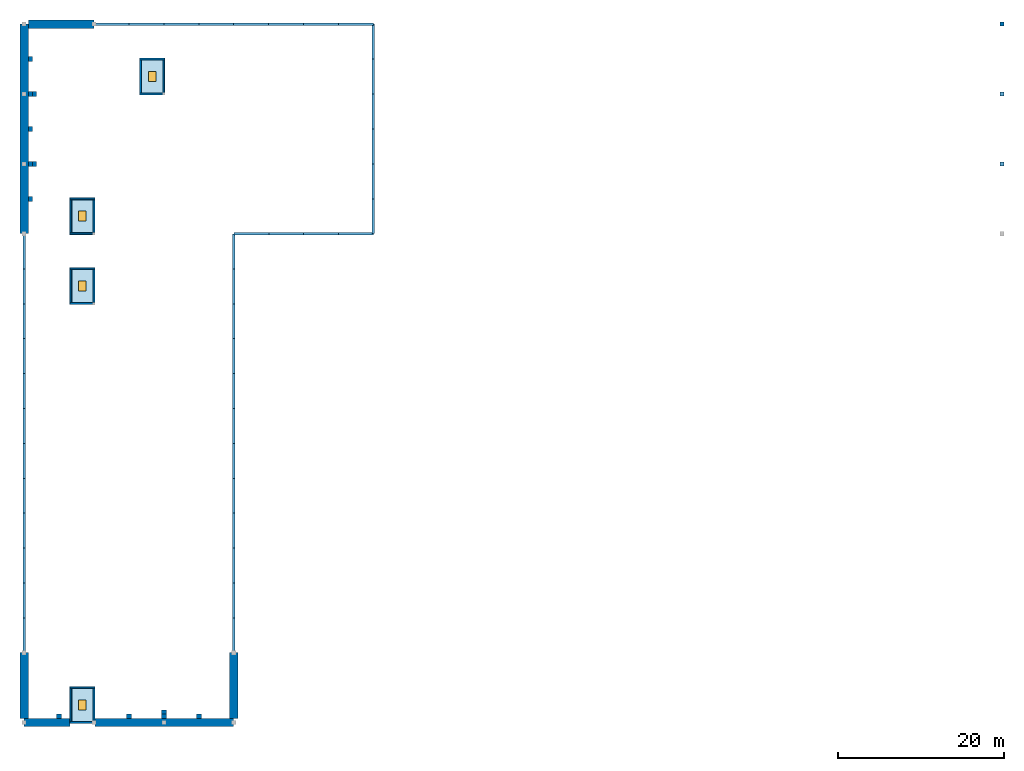
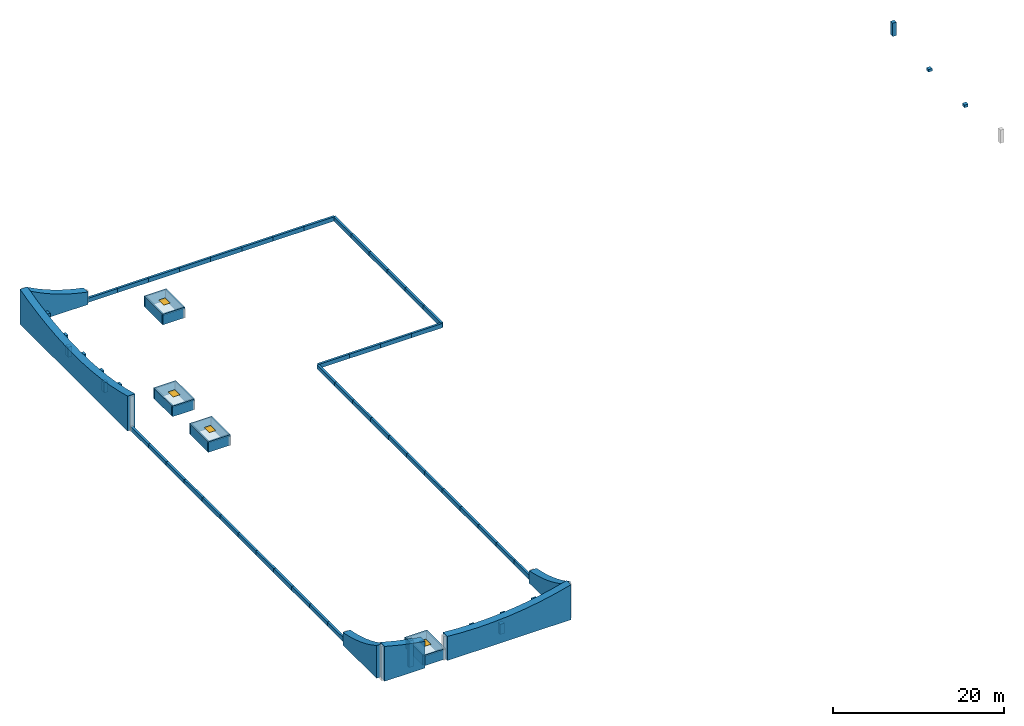
"""IFC4 building model written with IfcOpenShell, lengths in metres."""

from ifc_helpers import new_model, si_unit, direction, frame, frame_2d, origin, origin_2d, place, context, subcontext, project, spatial, polyline, rectangle, outline, extrude, material, layer, layer_set, material_profile, profile_set, type_object, element, fill, save


model = new_model("IFC4")

# Units and contexts
model_context = context("Model", 3, precision=1e-05, world=origin(), true_north=direction((0.0, 1.0)))
body_context = subcontext(model_context, "Body", "Model", "MODEL_VIEW")
ifc_project = project(units=[si_unit("LENGTHUNIT", "METRE"), si_unit("AREAUNIT", "SQUARE_METRE"), si_unit("VOLUMEUNIT", "CUBIC_METRE"), si_unit("PLANEANGLEUNIT", "RADIAN"), si_unit("MASSUNIT", "GRAM", prefix="KILO")], contexts=[model_context])

# Site, building, storey
site_placement = place(None, origin())
site = spatial("IfcSite", under=ifc_project, at=site_placement, CompositionType="ELEMENT")
building_placement = place(site_placement, origin())
building = spatial("IfcBuilding", under=site, at=building_placement, Name="Fescue Hill Polytechnic", CompositionType="ELEMENT")
storey_1_placement = place(building_placement, frame((0.0, 0.0, 36.0)))
storey_1 = spatial("IfcBuildingStorey", under=building, at=storey_1_placement, Name="Roof", CompositionType="ELEMENT", Elevation=36.0)

# Columns
ifc_material_1 = material(Name="Concrete 40 MPa", Category="concrete")
ifc_material_profile = material_profile(ifc_material_1, rectangle(XDim=0.5, YDim=0.5, at=origin_2d()), Name="RC 500x500")
ifc_profile_set = profile_set([ifc_material_profile], Name="Concrete 40 MPa")
column_type = type_object("IfcColumnType", Name="Column RC 500x500", PredefinedType="COLUMN", material=ifc_profile_set)
for number, where, z_axis, x_axis, name in (
    (1, (117.60009765625, 117.60009765625, 0.0), (0.0, 0.0, 1.0), (1.0, 0.0, 0.0), "CP-CR4-Roof-1176"),
    (2, (117.60009765625, 126.0, 0.0), (0.0, 0.0, 1.0), (1.0, 0.0, 0.0), "CP-CR4-Roof-1260"),
):
    element("IfcColumn", number, at=place(storey_1_placement, frame(where, z_axis=z_axis, x_axis=x_axis)), inside=storey_1, type_object=column_type, Name=name, PredefinedType="COLUMN", context=body_context, shape_type="SweptSolid", body=[
        extrude(rectangle(XDim=0.5, YDim=0.5, at=origin_2d()), origin(), (0.0, 0.0, 1.0), 0.36767578125),
    ])
column_placement = place(storey_1_placement, frame((117.60009765625, 134.39990234375, 0.0), z_axis=(0.0, 0.0, 1.0), x_axis=(1.0, 0.0, 0.0)))
element("IfcColumn", 3, at=column_placement, inside=storey_1, type_object=column_type, Name="CP-CR11-Roof-1176", PredefinedType="COLUMN", context=body_context, shape_type="SweptSolid", body=[
    extrude(rectangle(XDim=0.5, YDim=0.5, at=origin_2d()), origin(), (0.0, 0.0, 1.0), 1.89990234375),
])

# Slab, opening
ifc_material_2 = material(Name="Concrete 35 MPa", Category="concrete")
ifc_layer_1 = layer(ifc_material_2, 0.199951171875)
ifc_layer_set_1 = layer_set([ifc_layer_1], Name="Concrete 35 MPa")
slab_type = type_object("IfcSlabType", Name="Roof slab 200", PredefinedType="ROOF", material=ifc_layer_set_1)
slab_1_placement = place(storey_1_placement, frame((0.0, 0.0, 1.300048828125)))
slab_1 = element("IfcSlab", 4, at=slab_1_placement, inside=storey_1, type_object=slab_type, Name="LD-LF-V4-1", PredefinedType="ROOF", context=body_context, shape_type="SweptSolid", body=[
    extrude(outline(polyline([(8.5, 50.300048828125), (5.5, 50.300048828125), (5.5, 54.699951171875), (8.5, 54.699951171875), (8.5, 50.300048828125)])), origin(), (0.0, 0.0, 1.0), 0.199951171875),
])
opening_1_placement = place(slab_1_placement, frame((7.0, 52.5, 0.0)))
opening_1 = element("IfcOpeningElement", 5, at=opening_1_placement, cuts=slab_1, Name="Opening WH4", PredefinedType="OPENING", context=body_context, shape_type="SweptSolid", body=[
    extrude(rectangle(XDim=0.89990234375, YDim=1.199951171875, at=origin_2d()), frame((0.0, 0.0, -0.010009765625)), (0.0, 0.0, 1.0), 0.219970703125),
])

# Storey
storey_2_placement = place(building_placement, frame((0.0, 0.0, 31.5)))
storey_2 = spatial("IfcBuildingStorey", under=building, at=storey_2_placement, Name="L07", CompositionType="ELEMENT", Elevation=31.5)

# Window
ifc_material_3 = material(Name="Powder-coated aluminium and glass", Category="aluminium")
window_type = type_object("IfcWindowType", Name="Hoistway vent hatch 900x1200", PartitioningType="SINGLE_PANEL", PredefinedType="SKYLIGHT", material=ifc_material_3)
window_1_placement = place(opening_1_placement, frame((0.0, 0.0, 0.14990234375)))
window_1 = element("IfcWindow", 6, at=window_1_placement, inside=storey_2, type_object=window_type, Name="RLT-L07-LD-LF-V4-1", OverallHeight=1.199951171875, OverallWidth=0.89990234375, PartitioningType="SINGLE_PANEL", PredefinedType="SKYLIGHT", context=body_context, shape_type="SweptSolid", body=[
    extrude(rectangle(XDim=0.89990234375, YDim=1.199951171875, at=origin_2d()), origin(), (0.0, 0.0, 1.0), 0.050048828125),
])

fill(opening_1, window_1)

# Slab, opening, window
slab_2_placement = place(storey_1_placement, frame((0.0, 0.0, 1.300048828125)))
slab_2 = element("IfcSlab", 7, at=slab_2_placement, inside=storey_1, type_object=slab_type, Name="LD-LF-V4-2", PredefinedType="ROOF", context=body_context, shape_type="SweptSolid", body=[
    extrude(outline(polyline([(8.5, 100.699951171875), (5.5, 100.699951171875), (5.5, 105.10009765625), (8.5, 105.10009765625), (8.5, 100.699951171875)])), origin(), (0.0, 0.0, 1.0), 0.199951171875),
])
opening_2_placement = place(slab_2_placement, frame((7.0, 102.89990234375, 0.0)))
opening_2 = element("IfcOpeningElement", 8, at=opening_2_placement, cuts=slab_2, Name="Opening WH4", PredefinedType="OPENING", context=body_context, shape_type="SweptSolid", body=[
    extrude(rectangle(XDim=0.89990234375, YDim=1.199951171875, at=origin_2d()), frame((0.0, 0.0, -0.010009765625)), (0.0, 0.0, 1.0), 0.219970703125),
])
window_2_placement = place(opening_2_placement, frame((0.0, 0.0, 0.14990234375)))
window_2 = element("IfcWindow", 9, at=window_2_placement, inside=storey_2, type_object=window_type, Name="RLT-L07-LD-LF-V4-2", OverallHeight=1.199951171875, OverallWidth=0.89990234375, PartitioningType="SINGLE_PANEL", PredefinedType="SKYLIGHT", context=body_context, shape_type="SweptSolid", body=[
    extrude(rectangle(XDim=0.89990234375, YDim=1.199951171875, at=origin_2d()), origin(), (0.0, 0.0, 1.0), 0.050048828125),
])
fill(opening_2, window_2)

slab_3_placement = place(storey_1_placement, frame((0.0, 0.0, 1.300048828125)))
slab_3 = element("IfcSlab", 10, at=slab_3_placement, inside=storey_1, type_object=slab_type, Name="LD-LF-V5-1", PredefinedType="ROOF", context=body_context, shape_type="SweptSolid", body=[
    extrude(outline(polyline([(8.5, 109.10009765625), (5.5, 109.10009765625), (5.5, 113.5), (8.5, 113.5), (8.5, 109.10009765625)])), origin(), (0.0, 0.0, 1.0), 0.199951171875),
])
opening_3_placement = place(slab_3_placement, frame((7.0, 111.300048828125, 0.0)))
opening_3 = element("IfcOpeningElement", 11, at=opening_3_placement, cuts=slab_3, Name="Opening WH4", PredefinedType="OPENING", context=body_context, shape_type="SweptSolid", body=[
    extrude(rectangle(XDim=0.89990234375, YDim=1.199951171875, at=origin_2d()), frame((0.0, 0.0, -0.010009765625)), (0.0, 0.0, 1.0), 0.219970703125),
])
window_3_placement = place(opening_3_placement, frame((0.0, 0.0, 0.14990234375)))
window_3 = element("IfcWindow", 12, at=window_3_placement, inside=storey_2, type_object=window_type, Name="RLT-L07-LD-LF-V5-1", OverallHeight=1.199951171875, OverallWidth=0.89990234375, PartitioningType="SINGLE_PANEL", PredefinedType="SKYLIGHT", context=body_context, shape_type="SweptSolid", body=[
    extrude(rectangle(XDim=0.89990234375, YDim=1.199951171875, at=origin_2d()), origin(), (0.0, 0.0, 1.0), 0.050048828125),
])
fill(opening_3, window_3)

slab_4_placement = place(storey_1_placement, frame((0.0, 0.0, 1.300048828125)))
slab_4 = element("IfcSlab", 13, at=slab_4_placement, inside=storey_1, type_object=slab_type, Name="LD-LF-V5-2", PredefinedType="ROOF", context=body_context, shape_type="SweptSolid", body=[
    extrude(outline(polyline([(16.89990234375, 125.89990234375), (13.89990234375, 125.89990234375), (13.89990234375, 130.300048828125), (16.89990234375, 130.300048828125), (16.89990234375, 125.89990234375)])), origin(), (0.0, 0.0, 1.0), 0.199951171875),
])
opening_4_placement = place(slab_4_placement, frame((15.39990234375, 128.10009765625, 0.0)))
opening_4 = element("IfcOpeningElement", 14, at=opening_4_placement, cuts=slab_4, Name="Opening WH4", PredefinedType="OPENING", context=body_context, shape_type="SweptSolid", body=[
    extrude(rectangle(XDim=0.89990234375, YDim=1.199951171875, at=origin_2d()), frame((0.0, 0.0, -0.010009765625)), (0.0, 0.0, 1.0), 0.219970703125),
])
window_4_placement = place(opening_4_placement, frame((0.0, 0.0, 0.14990234375)))
window_4 = element("IfcWindow", 15, at=window_4_placement, inside=storey_2, type_object=window_type, Name="RLT-L07-LD-LF-V5-2", OverallHeight=1.199951171875, OverallWidth=0.89990234375, PartitioningType="SINGLE_PANEL", PredefinedType="SKYLIGHT", context=body_context, shape_type="SweptSolid", body=[
    extrude(rectangle(XDim=0.89990234375, YDim=1.199951171875, at=origin_2d()), origin(), (0.0, 0.0, 1.0), 0.050048828125),
])
fill(opening_4, window_4)

# Walls
ifc_material_4 = material(Name="Clay brick masonry", Category="masonry")
ifc_layer_2 = layer(ifc_material_4, 0.60009765625)
ifc_layer_set_2 = layer_set([ifc_layer_2], Name="Clay brick masonry")
wall_type_1 = type_object("IfcWallType", Name="Brick crest pier 600", PredefinedType="SOLIDWALL", material=ifc_layer_set_2)
wall_1_placement = place(storey_1_placement, frame((4.199951171875, 50.89990234375, 0.0), z_axis=(0.0, 0.0, 1.0), x_axis=(0.0, 1.0, 0.0)))
element("IfcWall", 16, at=wall_1_placement, inside=storey_1, type_object=wall_type_1, Name="Laboratory south crest pier 1", PredefinedType="SOLIDWALL", context=body_context, shape_type="SweptSolid", body=[
    extrude(rectangle(XDim=0.5, YDim=0.60009765625, at=frame_2d((0.25, 0.0))), origin(), (0.0, 0.0, 1.0), 3.785888671875),
])
wall_2_placement = place(storey_1_placement, frame((12.60009765625, 50.89990234375, 0.0), z_axis=(0.0, 0.0, 1.0), x_axis=(0.0, 1.0, 0.0)))
element("IfcWall", 17, at=wall_2_placement, inside=storey_1, type_object=wall_type_1, Name="Laboratory south crest pier 3", PredefinedType="SOLIDWALL", context=body_context, shape_type="SweptSolid", body=[
    extrude(rectangle(XDim=0.5, YDim=0.60009765625, at=frame_2d((0.25, 0.0))), origin(), (0.0, 0.0, 1.0), 3.030029296875),
])
wall_3_placement = place(storey_1_placement, frame((16.800048828125, 50.89990234375, 0.0), z_axis=(0.0, 0.0, 1.0), x_axis=(0.0, 1.0, 0.0)))
element("IfcWall", 18, at=wall_3_placement, inside=storey_1, type_object=wall_type_1, Name="Laboratory south crest buttress 04", PredefinedType="SOLIDWALL", context=body_context, shape_type="SweptSolid", body=[
    extrude(rectangle(XDim=0.5, YDim=0.60009765625, at=frame_2d((0.25, 0.0))), origin(), (0.0, 0.0, 1.0), 3.218017578125),
])
wall_4_placement = place(storey_1_placement, frame((16.800048828125, 51.39990234375, 0.0), z_axis=(0.0, 0.0, 1.0), x_axis=(0.0, 1.0, 0.0)))
element("IfcWall", 19, at=wall_4_placement, inside=storey_1, type_object=wall_type_1, Name="Laboratory south crest buttress 04 foot", PredefinedType="SOLIDWALL", context=body_context, shape_type="SweptSolid", body=[
    extrude(rectangle(XDim=0.5, YDim=0.60009765625, at=frame_2d((0.25, 0.0))), origin(), (0.0, 0.0, 1.0), 1.447998046875),
])
for number, where, z_axis, x_axis, name in (
    (20, (21.0, 50.89990234375, 0.0), (0.0, 0.0, 1.0), (0.0, 1.0, 0.0), "Laboratory south crest pier 5"),
    (21, (0.5, 113.39990234375, 0.0), (0.0, 0.0, 1.0), (1.0, 0.0, 0.0), "Library west crest pier 1"),
):
    element("IfcWall", number, at=place(storey_1_placement, frame(where, z_axis=z_axis, x_axis=x_axis)), inside=storey_1, type_object=wall_type_1, Name=name, PredefinedType="SOLIDWALL", context=body_context, shape_type="SweptSolid", body=[
        extrude(rectangle(XDim=0.5, YDim=0.60009765625, at=frame_2d((0.25, 0.0))), origin(), (0.0, 0.0, 1.0), 3.785888671875),
    ])
wall_5_placement = place(storey_1_placement, frame((0.5, 117.60009765625, 0.0), z_axis=(0.0, 0.0, 1.0), x_axis=(1.0, 0.0, 0.0)))
element("IfcWall", 22, at=wall_5_placement, inside=storey_1, type_object=wall_type_1, Name="Library west crest buttress 02", PredefinedType="SOLIDWALL", context=body_context, shape_type="SweptSolid", body=[
    extrude(rectangle(XDim=0.5, YDim=0.60009765625, at=frame_2d((0.25, 0.0))), origin(), (0.0, 0.0, 1.0), 3.218017578125),
])
wall_6_placement = place(storey_1_placement, frame((1.0, 117.60009765625, 0.0), z_axis=(0.0, 0.0, 1.0), x_axis=(1.0, 0.0, 0.0)))
element("IfcWall", 23, at=wall_6_placement, inside=storey_1, type_object=wall_type_1, Name="Library west crest buttress 02 foot", PredefinedType="SOLIDWALL", context=body_context, shape_type="SweptSolid", body=[
    extrude(rectangle(XDim=0.5, YDim=0.60009765625, at=frame_2d((0.25, 0.0))), origin(), (0.0, 0.0, 1.0), 1.447998046875),
])
wall_7_placement = place(storey_1_placement, frame((0.5, 121.800048828125, 0.0), z_axis=(0.0, 0.0, 1.0), x_axis=(1.0, 0.0, 0.0)))
element("IfcWall", 24, at=wall_7_placement, inside=storey_1, type_object=wall_type_1, Name="Library west crest pier 3", PredefinedType="SOLIDWALL", context=body_context, shape_type="SweptSolid", body=[
    extrude(rectangle(XDim=0.5, YDim=0.60009765625, at=frame_2d((0.25, 0.0))), origin(), (0.0, 0.0, 1.0), 3.030029296875),
])
wall_8_placement = place(storey_1_placement, frame((0.5, 126.0, 0.0), z_axis=(0.0, 0.0, 1.0), x_axis=(1.0, 0.0, 0.0)))
element("IfcWall", 25, at=wall_8_placement, inside=storey_1, type_object=wall_type_1, Name="Library west crest buttress 04", PredefinedType="SOLIDWALL", context=body_context, shape_type="SweptSolid", body=[
    extrude(rectangle(XDim=0.5, YDim=0.60009765625, at=frame_2d((0.25, 0.0))), origin(), (0.0, 0.0, 1.0), 3.218017578125),
])
wall_9_placement = place(storey_1_placement, frame((1.0, 126.0, 0.0), z_axis=(0.0, 0.0, 1.0), x_axis=(1.0, 0.0, 0.0)))
element("IfcWall", 26, at=wall_9_placement, inside=storey_1, type_object=wall_type_1, Name="Library west crest buttress 04 foot", PredefinedType="SOLIDWALL", context=body_context, shape_type="SweptSolid", body=[
    extrude(rectangle(XDim=0.5, YDim=0.60009765625, at=frame_2d((0.25, 0.0))), origin(), (0.0, 0.0, 1.0), 1.447998046875),
])
wall_10_placement = place(storey_1_placement, frame((0.5, 130.199951171875, 0.0), z_axis=(0.0, 0.0, 1.0), x_axis=(1.0, 0.0, 0.0)))
element("IfcWall", 27, at=wall_10_placement, inside=storey_1, type_object=wall_type_1, Name="Library west crest pier 5", PredefinedType="SOLIDWALL", context=body_context, shape_type="SweptSolid", body=[
    extrude(rectangle(XDim=0.5, YDim=0.60009765625, at=frame_2d((0.25, 0.0))), origin(), (0.0, 0.0, 1.0), 3.785888671875),
])
ifc_layer_3 = layer(ifc_material_4, 1.0)
ifc_layer_set_3 = layer_set([ifc_layer_3], Name="Clay brick masonry")
wall_type_2 = type_object("IfcWallType", Name="Brick crest wall 1000", PredefinedType="SOLIDWALL", material=ifc_layer_set_3)
wall_11_placement = place(storey_1_placement, frame((0.0, 109.199951171875, 0.0), z_axis=(0.0, 0.0, 1.0), x_axis=(0.0, 1.0, 0.0)))
element("IfcWall", 28, at=wall_11_placement, inside=storey_1, type_object=wall_type_2, Name="Library west crest", PredefinedType="SOLIDWALL", context=body_context, shape_type="SweptSolid", body=[
    extrude(outline(polyline([(0.0, 0.0), (25.199951171875, 0.0), (25.199951171875, 5.0), (23.10009765625, 4.467529296875), (21.0, 4.036376953125), (18.89990234375, 3.70361328125), (16.800048828125, 3.467529296875), (14.699951171875, 3.326416015625), (12.60009765625, 3.279541015625), (10.5, 3.326416015625), (8.39990234375, 3.467529296875), (6.300048828125, 3.70361328125), (4.199951171875, 4.036376953125), (2.10009765625, 4.467529296875), (0.0, 5.0), (0.0, 0.0)])), frame((0.0, 0.5, 0.0), z_axis=(0.0, -1.0, 0.0), x_axis=(1.0, 0.0, 0.0)), (0.0, 0.0, 1.0), 1.0),
])
for number, where, z_axis, x_axis, name in (
    (29, (0.0, 50.89990234375, 0.0), (0.0, 0.0, 1.0), (0.0, 1.0, 0.0), "Laboratory crest west return"),
    (30, (25.199951171875, 50.89990234375, 0.0), (0.0, 0.0, 1.0), (0.0, 1.0, 0.0), "Laboratory crest east return"),
):
    element("IfcWall", number, at=place(storey_1_placement, frame(where, z_axis=z_axis, x_axis=x_axis)), inside=storey_1, type_object=wall_type_2, Name=name, PredefinedType="SOLIDWALL", context=body_context, shape_type="SweptSolid", body=[
        extrude(outline(polyline([(0.0, 0.0), (7.900146484375, 0.0), (7.89990234375, 1.800048828125), (6.91259765625, 2.003662109375), (5.925048828125, 2.24951171875), (4.9375, 2.53857421875), (3.949951171875, 2.872802734375), (2.96240234375, 3.25390625), (1.97509765625, 3.68408203125), (0.987548828125, 4.166748046875), (0.0, 4.705078125), (0.0, 0.0)])), frame((0.0, 0.5, 0.0), z_axis=(0.0, -1.0, 0.0), x_axis=(1.0, 0.0, 0.0)), (0.0, 0.0, 1.0), 1.0),
    ])
wall_12_placement = place(storey_1_placement, frame((0.5, 134.39990234375, 0.0), z_axis=(0.0, 0.0, 1.0), x_axis=(1.0, 0.0, 0.0)))
element("IfcWall", 31, at=wall_12_placement, inside=storey_1, type_object=wall_type_2, Name="Library crest north return", PredefinedType="SOLIDWALL", context=body_context, shape_type="SweptSolid", body=[
    extrude(outline(polyline([(0.0, 0.0), (7.89990234375, 0.0), (7.89990234375, 1.800048828125), (6.91259765625, 2.003662109375), (5.925048828125, 2.24951171875), (4.9375, 2.53857421875), (3.949951171875, 2.872802734375), (2.96240234375, 3.25390625), (1.97509765625, 3.68408203125), (0.987548828125, 4.166748046875), (0.0, 4.705078125), (0.0, 0.0)])), frame((0.0, 0.5, 0.0), z_axis=(0.0, -1.0, 0.0), x_axis=(1.0, 0.0, 0.0)), (0.0, 0.0, 1.0), 1.0),
])
wall_13_placement = place(storey_1_placement, frame((0.0, 50.39990234375, 0.0), z_axis=(0.0, 0.0, 1.0), x_axis=(1.0, 0.0, 0.0)))
element("IfcWall", 32, at=wall_13_placement, inside=storey_1, type_object=wall_type_2, Name="Laboratory south crest", PredefinedType="SOLIDWALL", context=body_context, shape_type="SweptSolid", body=[
    extrude(outline(polyline([(0.0, 0.0), (5.5, 0.0), (5.5, 3.819091796875), (4.199951171875, 4.036376953125), (2.10009765625, 4.467529296875), (0.0, 5.0), (0.0, 0.0)])), frame((0.0, 0.5, 0.0), z_axis=(0.0, -1.0, 0.0), x_axis=(1.0, 0.0, 0.0)), (0.0, 0.0, 1.0), 1.0),
])
wall_14_placement = place(storey_1_placement, frame((8.5, 50.39990234375, 0.0), z_axis=(0.0, 0.0, 1.0), x_axis=(1.0, 0.0, 0.0)))
element("IfcWall", 33, at=wall_14_placement, inside=storey_1, type_object=wall_type_2, Name="Laboratory south crest", PredefinedType="SOLIDWALL", context=body_context, shape_type="SweptSolid", body=[
    extrude(outline(polyline([(0.0, 0.0), (16.699951171875, 0.0), (16.699951171875, 5.0), (14.60009765625, 4.467529296875), (12.5, 4.036376953125), (10.39990234375, 3.70361328125), (8.300048828125, 3.467529296875), (6.199951171875, 3.326416015625), (4.10009765625, 3.279541015625), (2.0, 3.326416015625), (0.0, 3.458740234375), (0.0, 0.0)])), frame((0.0, 0.5, 0.0), z_axis=(0.0, -1.0, 0.0), x_axis=(1.0, 0.0, 0.0)), (0.0, 0.0, 1.0), 1.0),
])
ifc_layer_4 = layer(ifc_material_1, 0.199951171875)
ifc_layer_set_4 = layer_set([ifc_layer_4], Name="Concrete 40 MPa")
wall_type_3 = type_object("IfcWallType", Name="Lift shaft wall 200", PredefinedType="SHEAR", material=ifc_layer_set_4)
for number, where, z_axis, x_axis, name in (
    (34, (5.5, 50.39990234375, 0.0), (0.0, 0.0, 1.0), (1.0, 0.0, 0.0), "OW-LF-V4-1-1"),
    (35, (5.5, 54.60009765625, 0.0), (0.0, 0.0, 1.0), (1.0, 0.0, 0.0), "OW-LF-V4-1-2"),
):
    element("IfcWall", number, at=place(storey_1_placement, frame(where, z_axis=z_axis, x_axis=x_axis)), inside=storey_1, type_object=wall_type_3, Name=name, PredefinedType="SHEAR", context=body_context, shape_type="SweptSolid", body=[
        extrude(rectangle(XDim=3.0, YDim=0.199951171875, at=frame_2d((1.5, 0.0))), origin(), (0.0, 0.0, 1.0), 1.5),
    ])
for number, where, z_axis, x_axis, name in (
    (36, (5.60009765625, 50.5, 0.0), (0.0, 0.0, 1.0), (0.0, 1.0, 0.0), "OW-LF-V4-1-3"),
    (37, (8.39990234375, 50.5, 0.0), (0.0, 0.0, 1.0), (0.0, 1.0, 0.0), "OW-LF-V4-1-4"),
):
    element("IfcWall", number, at=place(storey_1_placement, frame(where, z_axis=z_axis, x_axis=x_axis)), inside=storey_1, type_object=wall_type_3, Name=name, PredefinedType="SHEAR", context=body_context, shape_type="SweptSolid", body=[
        extrude(rectangle(XDim=4.0, YDim=0.199951171875, at=frame_2d((2.0, 0.0))), origin(), (0.0, 0.0, 1.0), 1.5),
    ])
for number, where, z_axis, x_axis, name in (
    (38, (5.5, 100.800048828125, 0.0), (0.0, 0.0, 1.0), (1.0, 0.0, 0.0), "OW-LF-V4-2-1"),
    (39, (5.5, 105.0, 0.0), (0.0, 0.0, 1.0), (1.0, 0.0, 0.0), "OW-LF-V4-2-2"),
):
    element("IfcWall", number, at=place(storey_1_placement, frame(where, z_axis=z_axis, x_axis=x_axis)), inside=storey_1, type_object=wall_type_3, Name=name, PredefinedType="SHEAR", context=body_context, shape_type="SweptSolid", body=[
        extrude(rectangle(XDim=3.0, YDim=0.199951171875, at=frame_2d((1.5, 0.0))), origin(), (0.0, 0.0, 1.0), 1.5),
    ])
for number, where, z_axis, x_axis, name in (
    (40, (5.60009765625, 100.89990234375, 0.0), (0.0, 0.0, 1.0), (0.0, 1.0, 0.0), "OW-LF-V4-2-3"),
    (41, (8.39990234375, 100.89990234375, 0.0), (0.0, 0.0, 1.0), (0.0, 1.0, 0.0), "OW-LF-V4-2-4"),
):
    element("IfcWall", number, at=place(storey_1_placement, frame(where, z_axis=z_axis, x_axis=x_axis)), inside=storey_1, type_object=wall_type_3, Name=name, PredefinedType="SHEAR", context=body_context, shape_type="SweptSolid", body=[
        extrude(rectangle(XDim=4.0, YDim=0.199951171875, at=frame_2d((2.0, 0.0))), origin(), (0.0, 0.0, 1.0), 1.5),
    ])
for number, where, z_axis, x_axis, name in (
    (42, (5.5, 109.199951171875, 0.0), (0.0, 0.0, 1.0), (1.0, 0.0, 0.0), "OW-LF-V5-1-1"),
    (43, (5.5, 113.39990234375, 0.0), (0.0, 0.0, 1.0), (1.0, 0.0, 0.0), "OW-LF-V5-1-2"),
):
    element("IfcWall", number, at=place(storey_1_placement, frame(where, z_axis=z_axis, x_axis=x_axis)), inside=storey_1, type_object=wall_type_3, Name=name, PredefinedType="SHEAR", context=body_context, shape_type="SweptSolid", body=[
        extrude(rectangle(XDim=3.0, YDim=0.199951171875, at=frame_2d((1.5, 0.0))), origin(), (0.0, 0.0, 1.0), 1.5),
    ])
for number, where, z_axis, x_axis, name in (
    (44, (5.60009765625, 109.300048828125, 0.0), (0.0, 0.0, 1.0), (0.0, 1.0, 0.0), "OW-LF-V5-1-3"),
    (45, (8.39990234375, 109.300048828125, 0.0), (0.0, 0.0, 1.0), (0.0, 1.0, 0.0), "OW-LF-V5-1-4"),
):
    element("IfcWall", number, at=place(storey_1_placement, frame(where, z_axis=z_axis, x_axis=x_axis)), inside=storey_1, type_object=wall_type_3, Name=name, PredefinedType="SHEAR", context=body_context, shape_type="SweptSolid", body=[
        extrude(rectangle(XDim=4.0, YDim=0.199951171875, at=frame_2d((2.0, 0.0))), origin(), (0.0, 0.0, 1.0), 1.5),
    ])
for number, where, z_axis, x_axis, name in (
    (46, (13.89990234375, 126.0, 0.0), (0.0, 0.0, 1.0), (1.0, 0.0, 0.0), "OW-LF-V5-2-1"),
    (47, (13.89990234375, 130.199951171875, 0.0), (0.0, 0.0, 1.0), (1.0, 0.0, 0.0), "OW-LF-V5-2-2"),
):
    element("IfcWall", number, at=place(storey_1_placement, frame(where, z_axis=z_axis, x_axis=x_axis)), inside=storey_1, type_object=wall_type_3, Name=name, PredefinedType="SHEAR", context=body_context, shape_type="SweptSolid", body=[
        extrude(rectangle(XDim=3.0, YDim=0.199951171875, at=frame_2d((1.5, 0.0))), origin(), (0.0, 0.0, 1.0), 1.5),
    ])
for number, where, z_axis, x_axis, name in (
    (48, (14.0, 126.10009765625, 0.0), (0.0, 0.0, 1.0), (0.0, 1.0, 0.0), "OW-LF-V5-2-3"),
    (49, (16.800048828125, 126.10009765625, 0.0), (0.0, 0.0, 1.0), (0.0, 1.0, 0.0), "OW-LF-V5-2-4"),
):
    element("IfcWall", number, at=place(storey_1_placement, frame(where, z_axis=z_axis, x_axis=x_axis)), inside=storey_1, type_object=wall_type_3, Name=name, PredefinedType="SHEAR", context=body_context, shape_type="SweptSolid", body=[
        extrude(rectangle(XDim=4.0, YDim=0.199951171875, at=frame_2d((2.0, 0.0))), origin(), (0.0, 0.0, 1.0), 1.5),
    ])
ifc_layer_5 = layer(ifc_material_4, 0.300048828125)
ifc_layer_set_5 = layer_set([ifc_layer_5], Name="Clay brick masonry")
wall_type_4 = type_object("IfcWallType", Name="Parapet wall brick 300", PredefinedType="PARAPET", material=ifc_layer_set_5)
for number, where, z_axis, x_axis, name in (
    (50, (25.199951171875, 109.14990234375, 0.0), (0.0, 0.0, 1.0), (0.0, -1.0, 0.0), "PP-Roof-V4-1"),
    (51, (25.199951171875, 104.9541015625, 0.0), (0.0, 0.0, 1.0), (0.0, -1.0, 0.0), "PP-Roof-V4-2"),
    (52, (25.199951171875, 100.75830078125, 0.0), (0.0, 0.0, 1.0), (0.0, -1.0, 0.0), "PP-Roof-V4-3"),
    (53, (25.199951171875, 96.5625, 0.0), (0.0, 0.0, 1.0), (0.0, -1.0, 0.0), "PP-Roof-V4-4"),
    (54, (25.199951171875, 92.36669921875, 0.0), (0.0, 0.0, 1.0), (0.0, -1.0, 0.0), "PP-Roof-V4-5"),
    (55, (25.199951171875, 88.1708984375, 0.0), (0.0, 0.0, 1.0), (0.0, -1.0, 0.0), "PP-Roof-V4-6"),
    (56, (25.199951171875, 83.97509765625, 0.0), (0.0, 0.0, 1.0), (0.0, -1.0, 0.0), "PP-Roof-V4-7"),
):
    element("IfcWall", number, at=place(storey_1_placement, frame(where, z_axis=z_axis, x_axis=x_axis)), inside=storey_1, type_object=wall_type_4, Name=name, PredefinedType="PARAPET", context=body_context, shape_type="SweptSolid", body=[
        extrude(rectangle(XDim=4.19580078125, YDim=0.300048828125, at=frame_2d((2.097900390625, 0.0))), origin(), (0.0, 0.0, 1.0), 0.60009765625),
    ])
wall_15_placement = place(storey_1_placement, frame((25.199951171875, 79.779296875, 0.0), z_axis=(0.0, 0.0, 1.0), x_axis=(0.0, -1.0, 0.0)))
element("IfcWall", 57, at=wall_15_placement, inside=storey_1, type_object=wall_type_4, Name="PP-Roof-V4-8", PredefinedType="PARAPET", context=body_context, shape_type="SweptSolid", body=[
    extrude(rectangle(XDim=4.196044921875, YDim=0.300048828125, at=frame_2d((2.09814453125, 0.0))), origin(), (0.0, 0.0, 1.0), 0.60009765625),
])
for number, where, z_axis, x_axis, name in (
    (58, (25.199951171875, 75.583251953125, 0.0), (0.0, 0.0, 1.0), (0.0, -1.0, 0.0), "PP-Roof-V4-9"),
    (59, (25.199951171875, 71.387451171875, 0.0), (0.0, 0.0, 1.0), (0.0, -1.0, 0.0), "PP-Roof-V4-10"),
    (60, (25.199951171875, 67.191650390625, 0.0), (0.0, 0.0, 1.0), (0.0, -1.0, 0.0), "PP-Roof-V4-11"),
    (61, (25.199951171875, 62.995849609375, 0.0), (0.0, 0.0, 1.0), (0.0, -1.0, 0.0), "PP-Roof-V4-12"),
    (62, (0.0, 58.800048828125, 0.0), (0.0, 0.0, 1.0), (0.0, 1.0, 0.0), "PP-Roof-V4-13"),
    (63, (0.0, 62.995849609375, 0.0), (0.0, 0.0, 1.0), (0.0, 1.0, 0.0), "PP-Roof-V4-14"),
    (64, (0.0, 67.191650390625, 0.0), (0.0, 0.0, 1.0), (0.0, 1.0, 0.0), "PP-Roof-V4-15"),
    (65, (0.0, 71.387451171875, 0.0), (0.0, 0.0, 1.0), (0.0, 1.0, 0.0), "PP-Roof-V4-16"),
):
    element("IfcWall", number, at=place(storey_1_placement, frame(where, z_axis=z_axis, x_axis=x_axis)), inside=storey_1, type_object=wall_type_4, Name=name, PredefinedType="PARAPET", context=body_context, shape_type="SweptSolid", body=[
        extrude(rectangle(XDim=4.19580078125, YDim=0.300048828125, at=frame_2d((2.097900390625, 0.0))), origin(), (0.0, 0.0, 1.0), 0.60009765625),
    ])
wall_16_placement = place(storey_1_placement, frame((0.0, 75.583251953125, 0.0), z_axis=(0.0, 0.0, 1.0), x_axis=(0.0, 1.0, 0.0)))
element("IfcWall", 66, at=wall_16_placement, inside=storey_1, type_object=wall_type_4, Name="PP-Roof-V4-17", PredefinedType="PARAPET", context=body_context, shape_type="SweptSolid", body=[
    extrude(rectangle(XDim=4.196044921875, YDim=0.300048828125, at=frame_2d((2.09814453125, 0.0))), origin(), (0.0, 0.0, 1.0), 0.60009765625),
])
for number, where, z_axis, x_axis, name in (
    (67, (0.0, 79.779296875, 0.0), (0.0, 0.0, 1.0), (0.0, 1.0, 0.0), "PP-Roof-V4-18"),
    (68, (0.0, 83.97509765625, 0.0), (0.0, 0.0, 1.0), (0.0, 1.0, 0.0), "PP-Roof-V4-19"),
    (69, (0.0, 88.1708984375, 0.0), (0.0, 0.0, 1.0), (0.0, 1.0, 0.0), "PP-Roof-V4-20"),
    (70, (0.0, 92.36669921875, 0.0), (0.0, 0.0, 1.0), (0.0, 1.0, 0.0), "PP-Roof-V4-21"),
    (71, (0.0, 96.5625, 0.0), (0.0, 0.0, 1.0), (0.0, 1.0, 0.0), "PP-Roof-V4-22"),
    (72, (0.0, 100.75830078125, 0.0), (0.0, 0.0, 1.0), (0.0, 1.0, 0.0), "PP-Roof-V4-23"),
    (73, (0.0, 104.9541015625, 0.0), (0.0, 0.0, 1.0), (0.0, 1.0, 0.0), "PP-Roof-V4-24"),
):
    element("IfcWall", number, at=place(storey_1_placement, frame(where, z_axis=z_axis, x_axis=x_axis)), inside=storey_1, type_object=wall_type_4, Name=name, PredefinedType="PARAPET", context=body_context, shape_type="SweptSolid", body=[
        extrude(rectangle(XDim=4.19580078125, YDim=0.300048828125, at=frame_2d((2.097900390625, 0.0))), origin(), (0.0, 0.0, 1.0), 0.60009765625),
    ])
wall_17_placement = place(storey_1_placement, frame((8.39990234375, 134.39990234375, 0.0), z_axis=(0.0, 0.0, 1.0), x_axis=(1.0, 0.0, 0.0)))
element("IfcWall", 74, at=wall_17_placement, inside=storey_1, type_object=wall_type_4, Name="PP-Roof-V5-1", PredefinedType="PARAPET", context=body_context, shape_type="SweptSolid", body=[
    extrude(rectangle(XDim=4.2001953125, YDim=0.300048828125, at=frame_2d((2.10009765625, 0.0))), origin(), (0.0, 0.0, 1.0), 0.60009765625),
])
for number, where, z_axis, x_axis, name in (
    (75, (12.60009765625, 134.39990234375, 0.0), (0.0, 0.0, 1.0), (1.0, 0.0, 0.0), "PP-Roof-V5-2"),
    (76, (16.800048828125, 134.39990234375, 0.0), (0.0, 0.0, 1.0), (1.0, 0.0, 0.0), "PP-Roof-V5-3"),
    (77, (21.0, 134.39990234375, 0.0), (0.0, 0.0, 1.0), (1.0, 0.0, 0.0), "PP-Roof-V5-4"),
    (78, (25.199951171875, 134.39990234375, 0.0), (0.0, 0.0, 1.0), (1.0, 0.0, 0.0), "PP-Roof-V5-5"),
):
    element("IfcWall", number, at=place(storey_1_placement, frame(where, z_axis=z_axis, x_axis=x_axis)), inside=storey_1, type_object=wall_type_4, Name=name, PredefinedType="PARAPET", context=body_context, shape_type="SweptSolid", body=[
        extrude(rectangle(XDim=4.199951171875, YDim=0.300048828125, at=frame_2d((2.10009765625, 0.0))), origin(), (0.0, 0.0, 1.0), 0.60009765625),
    ])
wall_18_placement = place(storey_1_placement, frame((29.39990234375, 134.39990234375, 0.0), z_axis=(0.0, 0.0, 1.0), x_axis=(1.0, 0.0, 0.0)))
element("IfcWall", 79, at=wall_18_placement, inside=storey_1, type_object=wall_type_4, Name="PP-Roof-V5-6", PredefinedType="PARAPET", context=body_context, shape_type="SweptSolid", body=[
    extrude(rectangle(XDim=4.2001953125, YDim=0.300048828125, at=frame_2d((2.10009765625, 0.0))), origin(), (0.0, 0.0, 1.0), 0.60009765625),
])
for number, where, z_axis, x_axis, name in (
    (80, (33.60009765625, 134.39990234375, 0.0), (0.0, 0.0, 1.0), (1.0, 0.0, 0.0), "PP-Roof-V5-7"),
    (81, (37.800048828125, 134.39990234375, 0.0), (0.0, 0.0, 1.0), (1.0, 0.0, 0.0), "PP-Roof-V5-8"),
    (82, (42.0, 134.39990234375, 0.0), (0.0, 0.0, 1.0), (0.0, -1.0, 0.0), "PP-Roof-V5-9"),
    (83, (42.0, 130.199951171875, 0.0), (0.0, 0.0, 1.0), (0.0, -1.0, 0.0), "PP-Roof-V5-10"),
    (84, (42.0, 126.0, 0.0), (0.0, 0.0, 1.0), (0.0, -1.0, 0.0), "PP-Roof-V5-11"),
    (85, (42.0, 121.800048828125, 0.0), (0.0, 0.0, 1.0), (0.0, -1.0, 0.0), "PP-Roof-V5-12"),
):
    element("IfcWall", number, at=place(storey_1_placement, frame(where, z_axis=z_axis, x_axis=x_axis)), inside=storey_1, type_object=wall_type_4, Name=name, PredefinedType="PARAPET", context=body_context, shape_type="SweptSolid", body=[
        extrude(rectangle(XDim=4.199951171875, YDim=0.300048828125, at=frame_2d((2.10009765625, 0.0))), origin(), (0.0, 0.0, 1.0), 0.60009765625),
    ])
wall_19_placement = place(storey_1_placement, frame((42.0, 117.60009765625, 0.0), z_axis=(0.0, 0.0, 1.0), x_axis=(0.0, -1.0, 0.0)))
element("IfcWall", 86, at=wall_19_placement, inside=storey_1, type_object=wall_type_4, Name="PP-Roof-V5-13", PredefinedType="PARAPET", context=body_context, shape_type="SweptSolid", body=[
    extrude(rectangle(XDim=4.2001953125, YDim=0.300048828125, at=frame_2d((2.10009765625, 0.0))), origin(), (0.0, 0.0, 1.0), 0.60009765625),
])
wall_20_placement = place(storey_1_placement, frame((42.0, 113.39990234375, 0.0), z_axis=(0.0, 0.0, 1.0), x_axis=(0.0, -1.0, 0.0)))
element("IfcWall", 87, at=wall_20_placement, inside=storey_1, type_object=wall_type_4, Name="PP-Roof-V5-14", PredefinedType="PARAPET", context=body_context, shape_type="SweptSolid", body=[
    extrude(rectangle(XDim=4.199951171875, YDim=0.300048828125, at=frame_2d((2.10009765625, 0.0))), origin(), (0.0, 0.0, 1.0), 0.60009765625),
])
for number, where, z_axis, x_axis, name in (
    (88, (42.0, 109.199951171875, 0.0), (0.0, 0.0, 1.0), (-1.0, 0.0, 0.0), "PP-Roof-V5-15"),
    (89, (37.8125, 109.199951171875, 0.0), (0.0, 0.0, 1.0), (-1.0, 0.0, 0.0), "PP-Roof-V5-16"),
    (90, (33.625, 109.199951171875, 0.0), (0.0, 0.0, 1.0), (-1.0, 0.0, 0.0), "PP-Roof-V5-17"),
    (91, (29.4375, 109.199951171875, 0.0), (0.0, 0.0, 1.0), (-1.0, 0.0, 0.0), "PP-Roof-V5-18"),
):
    element("IfcWall", number, at=place(storey_1_placement, frame(where, z_axis=z_axis, x_axis=x_axis)), inside=storey_1, type_object=wall_type_4, Name=name, PredefinedType="PARAPET", context=body_context, shape_type="SweptSolid", body=[
        extrude(rectangle(XDim=4.1875, YDim=0.300048828125, at=frame_2d((2.09375, 0.0))), origin(), (0.0, 0.0, 1.0), 0.60009765625),
    ])

save(model, "model.ifc")
